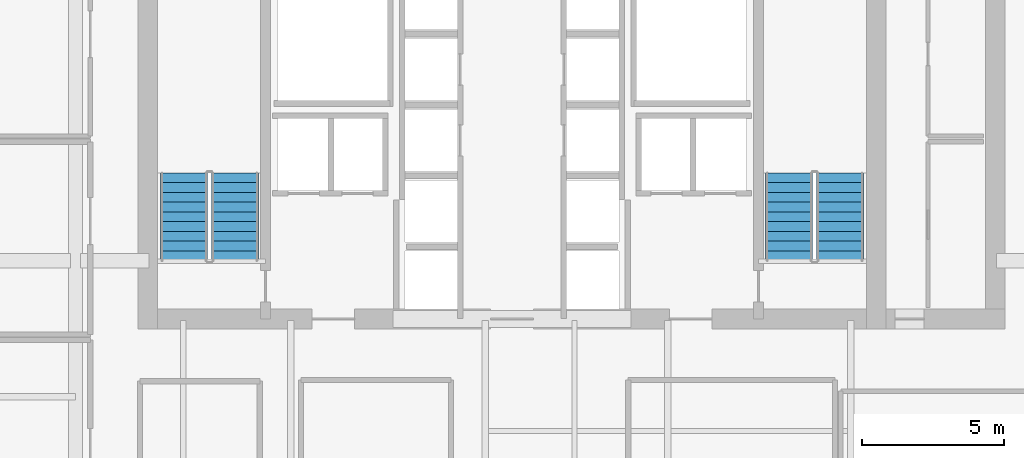
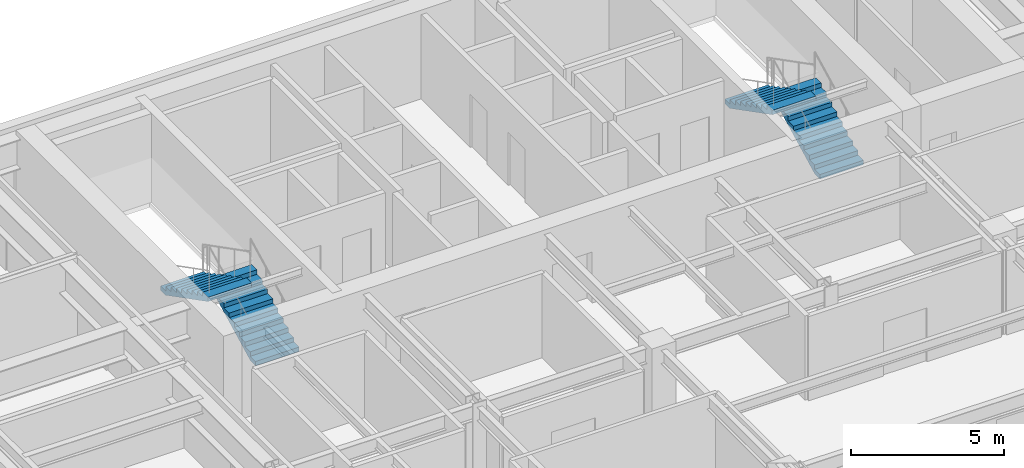
# One storey, part 16 of 17: 4 stair flights, 2 elements without a shape of their own.
"""IFC4 building model written with IfcOpenShell, lengths in metres."""

from ifc_helpers import new_model, si_unit, direction, frame, origin, place, context, subcontext, project, spatial, polyline, outline, extrude, material, type_object, element, aggregate, save


model = new_model("IFC4")

# Units and contexts
model_context = context("Model", 3, precision=1e-05, world=origin(), true_north=direction((0.0, 1.0)))
body_context = subcontext(model_context, "Body", "Model", "MODEL_VIEW")
ifc_project = project(units=[si_unit("LENGTHUNIT", "METRE"), si_unit("AREAUNIT", "SQUARE_METRE"), si_unit("VOLUMEUNIT", "CUBIC_METRE"), si_unit("PLANEANGLEUNIT", "RADIAN"), si_unit("MASSUNIT", "GRAM", prefix="KILO")], contexts=[model_context])

# Site, building, storey
site_placement = place(None, origin())
site = spatial("IfcSite", under=ifc_project, at=site_placement, CompositionType="ELEMENT")
building_placement = place(site_placement, origin())
building = spatial("IfcBuilding", under=site, at=building_placement, Name="Tolvann Quenvar Hotel", CompositionType="ELEMENT")
storey_placement = place(building_placement, frame((0.0, 0.0, 108.0)))
storey = spatial("IfcBuildingStorey", under=building, at=storey_placement, Name="L27", CompositionType="ELEMENT", Elevation=108.0)

# Stair, stair flights
ifc_material = material(Name="Concrete N40 (40 MPa)", Category="concrete")
stair_type = type_object("IfcStairType", Name="STAIR", PredefinedType="HALF_TURN_STAIR", material=ifc_material)
stair_1_placement = place(storey_placement, origin())
stair_1 = element("IfcStair", 1, at=stair_1_placement, inside=storey, type_object=stair_type, Name="L27 ST-C1", PredefinedType="HALF_TURN_STAIR")
stair_flight_type = type_object("IfcStairFlightType", Name="STAIR_FLIGHT", PredefinedType="STRAIGHT", material=ifc_material)
stair_flight_1_placement = place(storey_placement, frame((13.22509765625, 34.0, 0.0), z_axis=(0.0, 0.0, 1.0), x_axis=(0.0, 1.0, 0.0)))
stair_flight_1 = element("IfcStairFlight", 2, at=stair_flight_1_placement, type_object=stair_flight_type, Name="ST-C1 flight 1", NumberOfRisers=10, NumberOfTreads=9, PredefinedType="STRAIGHT", RiserHeight=0.1775, TreadLength=0.345, context=body_context, shape_type="SweptSolid", body=[
    extrude(outline(polyline([(0.0, 0.0), (0.0, 0.177490234375), (0.344970703125, 0.177490234375), (0.344970703125, 0.35498046875), (0.68994140625, 0.35498046875), (0.68994140625, 0.532470703125), (1.034912109375, 0.532470703125), (1.034912109375, 0.7099609375), (1.3798828125, 0.7099609375), (1.3798828125, 0.887451171875), (1.72509765625, 0.887451171875), (1.72509765625, 1.06494140625), (2.070068359375, 1.06494140625), (2.070068359375, 1.242431640625), (2.4150390625, 1.242431640625), (2.4150390625, 1.419921875), (2.760009765625, 1.419921875), (2.760009765625, 1.597412109375), (3.10498046875, 1.597412109375), (3.10498046875, 1.77490234375), (3.10498046875, 1.428955078125), (0.32763671875, 0.0), (0.0, 0.0)])), frame((0.0, 0.824951171875, 0.0), z_axis=(0.0, -1.0, 0.0), x_axis=(1.0, 0.0, 0.0)), (0.0, 0.0, 1.0), 1.64990234375),
])
stair_flight_2_placement = place(storey_placement, frame((11.425048828125, 37.10498046875, 1.77490234375), z_axis=(0.0, 0.0, 1.0), x_axis=(0.0, -1.0, 0.0)))
stair_flight_2 = element("IfcStairFlight", 3, at=stair_flight_2_placement, type_object=stair_flight_type, Name="ST-C1 flight 2", NumberOfRisers=10, NumberOfTreads=9, PredefinedType="STRAIGHT", RiserHeight=0.1775, TreadLength=0.345, context=body_context, shape_type="SweptSolid", body=[
    extrude(outline(polyline([(0.0, 0.0), (0.0, 0.177490234375), (0.344970703125, 0.177490234375), (0.344970703125, 0.35498046875), (0.68994140625, 0.35498046875), (0.68994140625, 0.532470703125), (1.034912109375, 0.532470703125), (1.034912109375, 0.7099609375), (1.3798828125, 0.7099609375), (1.3798828125, 0.887451171875), (1.72509765625, 0.887451171875), (1.72509765625, 1.06494140625), (2.070068359375, 1.06494140625), (2.070068359375, 1.242431640625), (2.4150390625, 1.242431640625), (2.4150390625, 1.419921875), (2.760009765625, 1.419921875), (2.760009765625, 1.597412109375), (3.10498046875, 1.597412109375), (3.10498046875, 1.77490234375), (3.10498046875, 1.428955078125), (0.32763671875, 0.0), (0.0, 0.0)])), frame((0.0, 0.824951171875, 0.0), z_axis=(0.0, -1.0, 0.0), x_axis=(1.0, 0.0, 0.0)), (0.0, 0.0, 1.0), 1.64990234375),
])
aggregate(stair_1, [stair_flight_1, stair_flight_2])

stair_2_placement = place(storey_placement, origin())
stair_2 = element("IfcStair", 4, at=stair_2_placement, inside=storey, type_object=stair_type, Name="L27 ST-C2", PredefinedType="HALF_TURN_STAIR")
stair_flight_3_placement = place(storey_placement, frame((34.574951171875, 34.0, 0.0), z_axis=(0.0, 0.0, 1.0), x_axis=(0.0, 1.0, 0.0)))
stair_flight_3 = element("IfcStairFlight", 5, at=stair_flight_3_placement, type_object=stair_flight_type, Name="ST-C2 flight 1", NumberOfRisers=10, NumberOfTreads=9, PredefinedType="STRAIGHT", RiserHeight=0.1775, TreadLength=0.345, context=body_context, shape_type="SweptSolid", body=[
    extrude(outline(polyline([(0.0, 0.0), (0.0, 0.177490234375), (0.344970703125, 0.177490234375), (0.344970703125, 0.35498046875), (0.68994140625, 0.35498046875), (0.68994140625, 0.532470703125), (1.034912109375, 0.532470703125), (1.034912109375, 0.7099609375), (1.3798828125, 0.7099609375), (1.3798828125, 0.887451171875), (1.72509765625, 0.887451171875), (1.72509765625, 1.06494140625), (2.070068359375, 1.06494140625), (2.070068359375, 1.242431640625), (2.4150390625, 1.242431640625), (2.4150390625, 1.419921875), (2.760009765625, 1.419921875), (2.760009765625, 1.597412109375), (3.10498046875, 1.597412109375), (3.10498046875, 1.77490234375), (3.10498046875, 1.428955078125), (0.32763671875, 0.0), (0.0, 0.0)])), frame((0.0, 0.824951171875, 0.0), z_axis=(0.0, -1.0, 0.0), x_axis=(1.0, 0.0, 0.0)), (0.0, 0.0, 1.0), 1.64990234375),
])
stair_flight_4_placement = place(storey_placement, frame((32.77490234375, 37.10498046875, 1.77490234375), z_axis=(0.0, 0.0, 1.0), x_axis=(0.0, -1.0, 0.0)))
stair_flight_4 = element("IfcStairFlight", 6, at=stair_flight_4_placement, type_object=stair_flight_type, Name="ST-C2 flight 2", NumberOfRisers=10, NumberOfTreads=9, PredefinedType="STRAIGHT", RiserHeight=0.1775, TreadLength=0.345, context=body_context, shape_type="SweptSolid", body=[
    extrude(outline(polyline([(0.0, 0.0), (0.0, 0.177490234375), (0.344970703125, 0.177490234375), (0.344970703125, 0.35498046875), (0.68994140625, 0.35498046875), (0.68994140625, 0.532470703125), (1.034912109375, 0.532470703125), (1.034912109375, 0.7099609375), (1.3798828125, 0.7099609375), (1.3798828125, 0.887451171875), (1.72509765625, 0.887451171875), (1.72509765625, 1.06494140625), (2.070068359375, 1.06494140625), (2.070068359375, 1.242431640625), (2.4150390625, 1.242431640625), (2.4150390625, 1.419921875), (2.760009765625, 1.419921875), (2.760009765625, 1.597412109375), (3.10498046875, 1.597412109375), (3.10498046875, 1.77490234375), (3.10498046875, 1.428955078125), (0.32763671875, 0.0), (0.0, 0.0)])), frame((0.0, 0.824951171875, 0.0), z_axis=(0.0, -1.0, 0.0), x_axis=(1.0, 0.0, 0.0)), (0.0, 0.0, 1.0), 1.64990234375),
])
aggregate(stair_2, [stair_flight_3, stair_flight_4])

save(model, "model.ifc")
